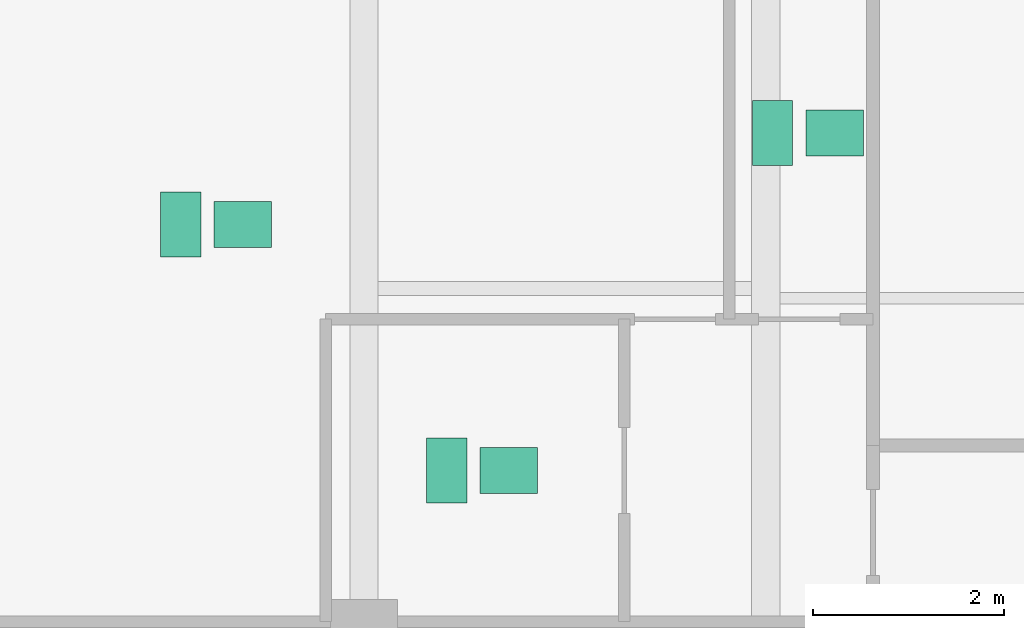
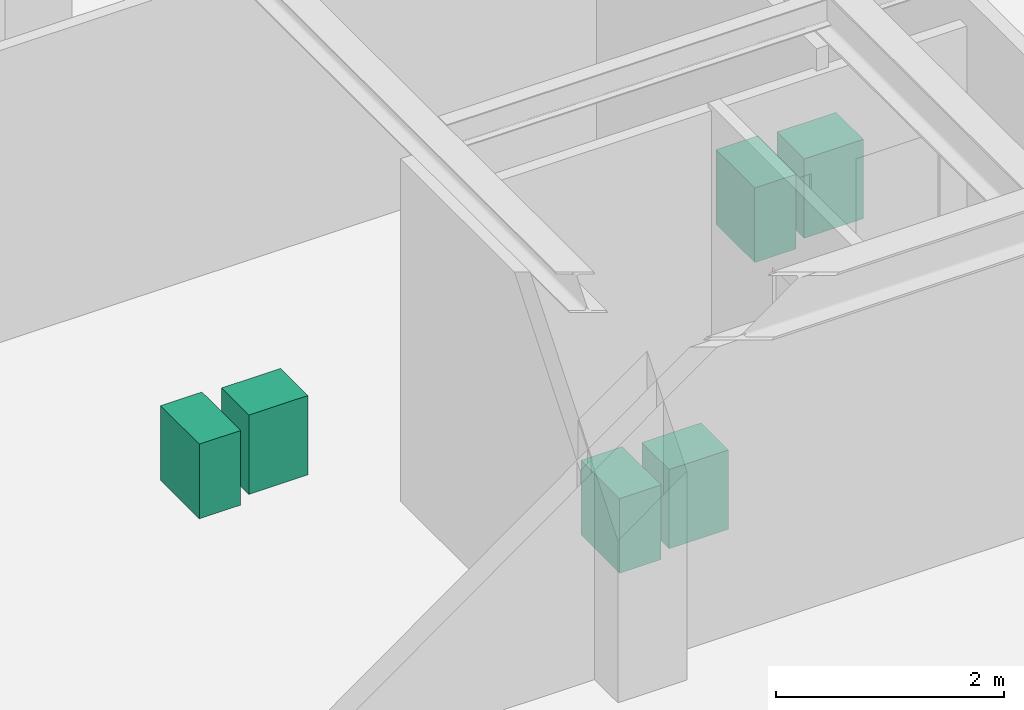
# One storey, part 21 of 21: 6 sanitary terminals.
"""IFC4 building model written with IfcOpenShell, lengths in metres."""

from ifc_helpers import new_model, si_unit, direction, frame, origin, origin_2d, place, context, subcontext, project, spatial, rectangle, extrude, source, transform, mapped, material, type_object, type_shapes, element, save


model = new_model("IFC4")

# Units and contexts
model_context = context("Model", 3, precision=1e-05, world=origin(), true_north=direction((0.0, 1.0)))
body_context = subcontext(model_context, "Body", "Model", "MODEL_VIEW")
ifc_project = project(units=[si_unit("LENGTHUNIT", "METRE"), si_unit("AREAUNIT", "SQUARE_METRE"), si_unit("VOLUMEUNIT", "CUBIC_METRE"), si_unit("PLANEANGLEUNIT", "RADIAN"), si_unit("MASSUNIT", "GRAM", prefix="KILO")], contexts=[model_context])

# Site, building, storey
site_placement = place(None, origin())
site = spatial("IfcSite", under=ifc_project, at=site_placement, CompositionType="ELEMENT")
building_placement = place(site_placement, origin())
building = spatial("IfcBuilding", under=site, at=building_placement, Name="Krantzveldt Concourse Tower", CompositionType="ELEMENT")
storey_placement = place(building_placement, frame((0.0, 0.0, 323.75)))
storey = spatial("IfcBuildingStorey", under=building, at=storey_placement, Name="L79", CompositionType="ELEMENT", Elevation=323.75)

# Sanitary terminals
ifc_material = material(Name="Vitreous china", Category="ceramic")
sanitary_terminal_type_1 = type_object("IfcSanitaryTerminalType", Name="SAN-WC-SUITE", PredefinedType="TOILETPAN", material=ifc_material)
shared_shape_1 = source(origin(), body_context, "Body", "SweptSolid", [
    extrude(rectangle(XDim=0.419921875, YDim=0.679931640625, at=origin_2d()), origin(), (0.0, 0.0, 1.0), 0.800048828125),
])
type_shapes(sanitary_terminal_type_1, [shared_shape_1])
for number, where, z_axis, x_axis, name in (
    (1, (19.08544921875, 30.967529296875, 0.0), (0.0, 0.0, 1.0), (1.0, 0.0, 0.0), "WC-SP-L79-WCM"),
    (2, (25.27001953125, 31.925048828125, 0.0), (0.0, 0.0, 1.0), (1.0, 0.0, 0.0), "WC-SP-L79-WCF"),
    (3, (21.864990234375, 28.39990234375, 0.0), (0.0, 0.0, 1.0), (1.0, 0.0, 0.0), "WC-SP-L79-WCA"),
):
    element("IfcSanitaryTerminal", number, at=place(storey_placement, frame(where, z_axis=z_axis, x_axis=x_axis)), inside=storey, type_object=sanitary_terminal_type_1, Name=name, PredefinedType="TOILETPAN", context=body_context, shape_type="MappedRepresentation", body=[
        mapped(shared_shape_1, transform((0.0, 0.0, 0.0), x_axis=(1.0, 0.0, 0.0), y_axis=(0.0, 1.0, 0.0), z_axis=(0.0, 0.0, 1.0), scale=1.0)),
    ])
sanitary_terminal_type_2 = type_object("IfcSanitaryTerminalType", Name="SAN-BASIN-600", PredefinedType="WASHHANDBASIN", material=ifc_material)
shared_shape_2 = source(origin(), body_context, "Body", "SweptSolid", [
    extrude(rectangle(XDim=0.60009765625, YDim=0.47998046875, at=origin_2d()), origin(), (0.0, 0.0, 1.0), 0.85009765625),
])
type_shapes(sanitary_terminal_type_2, [shared_shape_2])
for number, where, z_axis, x_axis, name in (
    (4, (19.7353515625, 30.967529296875, 0.0048828125), (0.0, 0.0, 1.0), (1.0, 0.0, 0.0), "BSN-SP-L79-WCM"),
    (5, (25.919921875, 31.925048828125, 0.0048828125), (0.0, 0.0, 1.0), (1.0, 0.0, 0.0), "BSN-SP-L79-WCF"),
    (6, (22.514892578125, 28.39990234375, 0.0048828125), (0.0, 0.0, 1.0), (1.0, 0.0, 0.0), "BSN-SP-L79-WCA"),
):
    element("IfcSanitaryTerminal", number, at=place(storey_placement, frame(where, z_axis=z_axis, x_axis=x_axis)), inside=storey, type_object=sanitary_terminal_type_2, Name=name, PredefinedType="WASHHANDBASIN", context=body_context, shape_type="MappedRepresentation", body=[
        mapped(shared_shape_2, transform((0.0, 0.0, 0.0), x_axis=(1.0, 0.0, 0.0), y_axis=(0.0, 1.0, 0.0), z_axis=(0.0, 0.0, 1.0), scale=1.0)),
    ])

save(model, "model.ifc")
